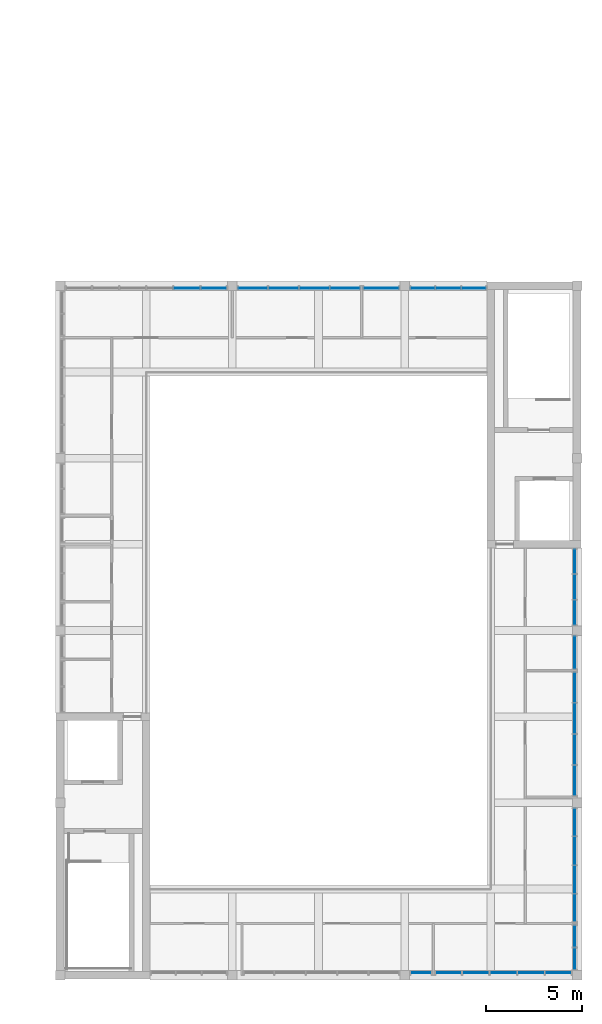
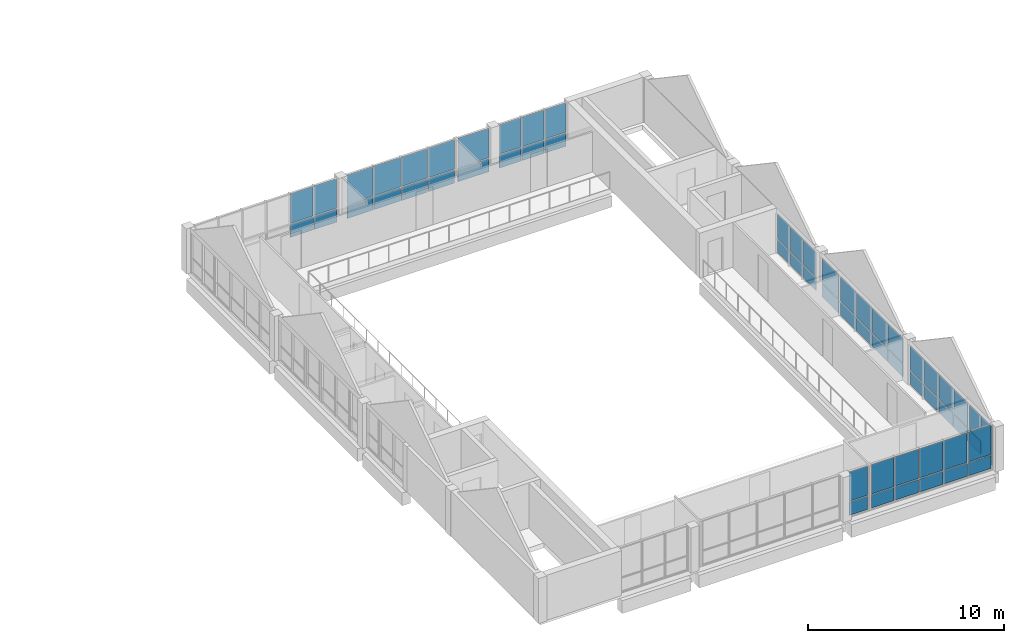
# One storey, part 22 of 50: 60 plates, 11 elements without a shape of their own.
"""IFC4 building model written with IfcOpenShell, lengths in metres."""

from ifc_helpers import new_model, si_unit, direction, frame, origin, origin_2d, place, context, subcontext, project, spatial, rectangle, extrude, material, layer, layer_set, type_object, element, aggregate, save


model = new_model("IFC4")

# Units and contexts
model_context = context("Model", 3, precision=1e-05, world=origin(), true_north=direction((0.0, 1.0)))
body_context = subcontext(model_context, "Body", "Model", "MODEL_VIEW")
ifc_project = project(units=[si_unit("LENGTHUNIT", "METRE"), si_unit("AREAUNIT", "SQUARE_METRE"), si_unit("VOLUMEUNIT", "CUBIC_METRE"), si_unit("PLANEANGLEUNIT", "RADIAN"), si_unit("MASSUNIT", "GRAM", prefix="KILO")], contexts=[model_context])

# Site, building, storey
site_placement = place(None, origin())
site = spatial("IfcSite", under=ifc_project, at=site_placement, CompositionType="ELEMENT")
building_placement = place(site_placement, origin())
building = spatial("IfcBuilding", under=site, at=building_placement, Name="Merrow Basin Faculty of Sciences", CompositionType="ELEMENT")
storey_placement = place(building_placement, frame((0.0, 0.0, 18.0)))
storey = spatial("IfcBuildingStorey", under=building, at=storey_placement, Name="L04", CompositionType="ELEMENT", Elevation=18.0)

# Curtain wall, plates
ifc_material_1 = material(Name="Aluminium alloy 6063", Category="aluminium")
curtain_wall_type = type_object("IfcCurtainWallType", Name="Atrium unitised curtain wall 240", PredefinedType="NOTDEFINED", material=ifc_material_1)
curtain_wall_1_placement = place(storey_placement, origin())
curtain_wall_1 = element("IfcCurtainWall", 1, at=curtain_wall_1_placement, inside=storey, type_object=curtain_wall_type, Name="N curtain wall L04 1", PredefinedType="NOTDEFINED")
ifc_material_2 = material(Name="Low-E double glazing", Category="glass")
ifc_layer_1 = layer(ifc_material_2, 0.031982421875)
ifc_layer_set_1 = layer_set([ifc_layer_1], Name="Acoustic double glazed panel 32")
plate_type_1 = type_object("IfcPlateType", Name="Acoustic double glazed panel 32", PredefinedType="CURTAIN_PANEL", material=ifc_layer_set_1)
plate_1_placement = place(storey_placement, frame((51.625, 35.8798828125, 0.93017578125), z_axis=(0.0, 0.0, 1.0), x_axis=(1.0, 0.0, 0.0)))
plate_1 = element("IfcPlate", 2, at=plate_1_placement, type_object=plate_type_1, Name="CW5 panel 5.2", PredefinedType="CURTAIN_PANEL", context=body_context, shape_type="SweptSolid", body=[
    extrude(rectangle(XDim=1.356689453125, YDim=0.031982421875, at=origin_2d()), origin(), (0.0, 0.0, 1.0), 1.822998046875),
])
plate_2_placement = place(storey_placement, frame((53.026611328125, 35.8798828125, 0.93017578125), z_axis=(0.0, 0.0, 1.0), x_axis=(1.0, 0.0, 0.0)))
plate_2 = element("IfcPlate", 3, at=plate_2_placement, type_object=plate_type_1, Name="CW5 panel 6.2", PredefinedType="CURTAIN_PANEL", context=body_context, shape_type="SweptSolid", body=[
    extrude(rectangle(XDim=1.32666015625, YDim=0.031982421875, at=origin_2d()), origin(), (0.0, 0.0, 1.0), 1.822998046875),
])

curtain_wall_2_placement = place(storey_placement, origin())
curtain_wall_2 = element("IfcCurtainWall", 4, at=curtain_wall_2_placement, inside=storey, type_object=curtain_wall_type, Name="N curtain wall L04 2", PredefinedType="NOTDEFINED")
plate_3_placement = place(storey_placement, frame((55.0712890625, 35.8798828125, 0.93017578125), z_axis=(0.0, 0.0, 1.0), x_axis=(1.0, 0.0, 0.0)))
plate_3 = element("IfcPlate", 5, at=plate_3_placement, type_object=plate_type_1, Name="CW5 panel 1.2", PredefinedType="CURTAIN_PANEL", context=body_context, shape_type="SweptSolid", body=[
    extrude(rectangle(XDim=1.5224609375, YDim=0.031982421875, at=origin_2d()), origin(), (0.0, 0.0, 1.0), 1.822998046875),
])
plate_4_placement = place(storey_placement, frame((56.668701171875, 35.8798828125, 0.93017578125), z_axis=(0.0, 0.0, 1.0), x_axis=(1.0, 0.0, 0.0)))
plate_4 = element("IfcPlate", 6, at=plate_4_placement, type_object=plate_type_1, Name="CW5 panel 2.2", PredefinedType="CURTAIN_PANEL", context=body_context, shape_type="SweptSolid", body=[
    extrude(rectangle(XDim=1.552490234375, YDim=0.031982421875, at=origin_2d()), origin(), (0.0, 0.0, 1.0), 1.822998046875),
])
plate_5_placement = place(storey_placement, frame((58.28125, 35.8798828125, 0.93017578125), z_axis=(0.0, 0.0, 1.0), x_axis=(1.0, 0.0, 0.0)))
plate_5 = element("IfcPlate", 7, at=plate_5_placement, type_object=plate_type_1, Name="CW5 panel 3.2", PredefinedType="CURTAIN_PANEL", context=body_context, shape_type="SweptSolid", body=[
    extrude(rectangle(XDim=1.552490234375, YDim=0.031982421875, at=origin_2d()), origin(), (0.0, 0.0, 1.0), 1.822998046875),
])
plate_6_placement = place(storey_placement, frame((59.878662109375, 35.8798828125, 0.93017578125), z_axis=(0.0, 0.0, 1.0), x_axis=(1.0, 0.0, 0.0)))
plate_6 = element("IfcPlate", 8, at=plate_6_placement, type_object=plate_type_1, Name="CW5 panel 4.2", PredefinedType="CURTAIN_PANEL", context=body_context, shape_type="SweptSolid", body=[
    extrude(rectangle(XDim=1.5224609375, YDim=0.031982421875, at=origin_2d()), origin(), (0.0, 0.0, 1.0), 1.822998046875),
])

# Curtain wall, plate
curtain_wall_3_placement = place(storey_placement, origin())
curtain_wall_3 = element("IfcCurtainWall", 9, at=curtain_wall_3_placement, inside=storey, type_object=curtain_wall_type, Name="N curtain wall L04 3", PredefinedType="NOTDEFINED")
plate_7_placement = place(storey_placement, frame((61.77490234375, 35.8798828125, 0.93017578125), z_axis=(0.0, 0.0, 1.0), x_axis=(1.0, 0.0, 0.0)))
plate_7 = element("IfcPlate", 10, at=plate_7_placement, type_object=plate_type_1, Name="CW5 panel 1.2", PredefinedType="CURTAIN_PANEL", context=body_context, shape_type="SweptSolid", body=[
    extrude(rectangle(XDim=1.830078125, YDim=0.031982421875, at=origin_2d()), origin(), (0.0, 0.0, 1.0), 1.822998046875),
])

# Curtain wall, plates
curtain_wall_4_placement = place(storey_placement, origin())
curtain_wall_4 = element("IfcCurtainWall", 11, at=curtain_wall_4_placement, inside=storey, type_object=curtain_wall_type, Name="N curtain wall L04 4", PredefinedType="NOTDEFINED")
plate_8_placement = place(storey_placement, frame((63.93994140625, 35.8798828125, 0.93017578125), z_axis=(0.0, 0.0, 1.0), x_axis=(1.0, 0.0, 0.0)))
plate_8 = element("IfcPlate", 12, at=plate_8_placement, type_object=plate_type_1, Name="CW5 panel 1.2", PredefinedType="CURTAIN_PANEL", context=body_context, shape_type="SweptSolid", body=[
    extrude(rectangle(XDim=1.260009765625, YDim=0.031982421875, at=origin_2d()), origin(), (0.0, 0.0, 1.0), 1.822998046875),
])
plate_9_placement = place(storey_placement, frame((65.27490234375, 35.8798828125, 0.93017578125), z_axis=(0.0, 0.0, 1.0), x_axis=(1.0, 0.0, 0.0)))
plate_9 = element("IfcPlate", 13, at=plate_9_placement, type_object=plate_type_1, Name="CW5 panel 2.2", PredefinedType="CURTAIN_PANEL", context=body_context, shape_type="SweptSolid", body=[
    extrude(rectangle(XDim=1.2900390625, YDim=0.031982421875, at=origin_2d()), origin(), (0.0, 0.0, 1.0), 1.822998046875),
])
plate_10_placement = place(storey_placement, frame((66.610107421875, 35.8798828125, 0.93017578125), z_axis=(0.0, 0.0, 1.0), x_axis=(1.0, 0.0, 0.0)))
plate_10 = element("IfcPlate", 14, at=plate_10_placement, type_object=plate_type_1, Name="CW5 panel 3.2", PredefinedType="CURTAIN_PANEL", context=body_context, shape_type="SweptSolid", body=[
    extrude(rectangle(XDim=1.260009765625, YDim=0.031982421875, at=origin_2d()), origin(), (0.0, 0.0, 1.0), 1.822998046875),
])

curtain_wall_5_placement = place(storey_placement, origin())
curtain_wall_5 = element("IfcCurtainWall", 15, at=curtain_wall_5_placement, inside=storey, type_object=curtain_wall_type, Name="E curtain wall L04 1", PredefinedType="NOTDEFINED")
plate_11_placement = place(storey_placement, frame((71.8798828125, 0.864990234375, 0.929931640625), z_axis=(0.0, 0.0, 1.0), x_axis=(0.0, 1.0, 0.0)))
plate_11 = element("IfcPlate", 16, at=plate_11_placement, type_object=plate_type_1, Name="CW5 panel 1.2", PredefinedType="CURTAIN_PANEL", context=body_context, shape_type="SweptSolid", body=[
    extrude(rectangle(XDim=1.110107421875, YDim=0.031982421875, at=origin_2d()), origin(), (0.0, 0.0, 1.0), 1.52294921875),
])
plate_12_placement = place(storey_placement, frame((71.8798828125, 2.034912109375, 0.929931640625), z_axis=(0.0, 0.0, 1.0), x_axis=(0.0, 1.0, 0.0)))
plate_12 = element("IfcPlate", 17, at=plate_12_placement, type_object=plate_type_1, Name="CW5 panel 2.2", PredefinedType="CURTAIN_PANEL", context=body_context, shape_type="SweptSolid", body=[
    extrude(rectangle(XDim=1.110107421875, YDim=0.031982421875, at=origin_2d()), origin(), (0.0, 0.0, 1.0), 1.52294921875),
])

curtain_wall_6_placement = place(storey_placement, origin())
curtain_wall_6 = element("IfcCurtainWall", 18, at=curtain_wall_6_placement, inside=storey, type_object=curtain_wall_type, Name="E curtain wall L04 2", PredefinedType="NOTDEFINED")
plate_13_placement = place(storey_placement, frame((71.8798828125, 3.514892578125, 0.929931640625), z_axis=(0.0, 0.0, 1.0), x_axis=(0.0, 1.0, 0.0)))
plate_13 = element("IfcPlate", 19, at=plate_13_placement, type_object=plate_type_1, Name="CW5 panel 1.2", PredefinedType="CURTAIN_PANEL", context=body_context, shape_type="SweptSolid", body=[
    extrude(rectangle(XDim=1.409912109375, YDim=0.031982421875, at=origin_2d()), origin(), (0.0, 0.0, 1.0), 1.52294921875),
])
plate_14_placement = place(storey_placement, frame((71.8798828125, 5.0, 0.929931640625), z_axis=(0.0, 0.0, 1.0), x_axis=(0.0, 1.0, 0.0)))
plate_14 = element("IfcPlate", 20, at=plate_14_placement, type_object=plate_type_1, Name="CW5 panel 2.2", PredefinedType="CURTAIN_PANEL", context=body_context, shape_type="SweptSolid", body=[
    extrude(rectangle(XDim=1.43994140625, YDim=0.031982421875, at=origin_2d()), origin(), (0.0, 0.0, 1.0), 1.52294921875),
])
plate_15_placement = place(storey_placement, frame((71.8798828125, 6.5, 0.929931640625), z_axis=(0.0, 0.0, 1.0), x_axis=(0.0, 1.0, 0.0)))
plate_15 = element("IfcPlate", 21, at=plate_15_placement, type_object=plate_type_1, Name="CW5 panel 3.2", PredefinedType="CURTAIN_PANEL", context=body_context, shape_type="SweptSolid", body=[
    extrude(rectangle(XDim=1.43994140625, YDim=0.031982421875, at=origin_2d()), origin(), (0.0, 0.0, 1.0), 1.52294921875),
])
plate_16_placement = place(storey_placement, frame((71.8798828125, 7.985107421875, 0.929931640625), z_axis=(0.0, 0.0, 1.0), x_axis=(0.0, 1.0, 0.0)))
plate_16 = element("IfcPlate", 22, at=plate_16_placement, type_object=plate_type_1, Name="CW5 panel 4.2", PredefinedType="CURTAIN_PANEL", context=body_context, shape_type="SweptSolid", body=[
    extrude(rectangle(XDim=1.409912109375, YDim=0.031982421875, at=origin_2d()), origin(), (0.0, 0.0, 1.0), 1.52294921875),
])

curtain_wall_7_placement = place(storey_placement, origin())
curtain_wall_7 = element("IfcCurtainWall", 23, at=curtain_wall_7_placement, inside=storey, type_object=curtain_wall_type, Name="E curtain wall L04 3", PredefinedType="NOTDEFINED")
plate_17_placement = place(storey_placement, frame((71.8798828125, 10.177490234375, 0.929931640625), z_axis=(0.0, 0.0, 1.0), x_axis=(0.0, 1.0, 0.0)))
plate_17 = element("IfcPlate", 24, at=plate_17_placement, type_object=plate_type_1, Name="CW5 panel 1.2", PredefinedType="CURTAIN_PANEL", context=body_context, shape_type="SweptSolid", body=[
    extrude(rectangle(XDim=1.534912109375, YDim=0.031982421875, at=origin_2d()), origin(), (0.0, 0.0, 1.0), 1.52294921875),
])
plate_18_placement = place(storey_placement, frame((71.8798828125, 11.78759765625, 0.929931640625), z_axis=(0.0, 0.0, 1.0), x_axis=(0.0, 1.0, 0.0)))
plate_18 = element("IfcPlate", 25, at=plate_18_placement, type_object=plate_type_1, Name="CW5 panel 2.2", PredefinedType="CURTAIN_PANEL", context=body_context, shape_type="SweptSolid", body=[
    extrude(rectangle(XDim=1.56494140625, YDim=0.031982421875, at=origin_2d()), origin(), (0.0, 0.0, 1.0), 1.52294921875),
])
plate_19_placement = place(storey_placement, frame((71.8798828125, 13.41259765625, 0.929931640625), z_axis=(0.0, 0.0, 1.0), x_axis=(0.0, 1.0, 0.0)))
plate_19 = element("IfcPlate", 26, at=plate_19_placement, type_object=plate_type_1, Name="CW5 panel 3.2", PredefinedType="CURTAIN_PANEL", context=body_context, shape_type="SweptSolid", body=[
    extrude(rectangle(XDim=1.56494140625, YDim=0.031982421875, at=origin_2d()), origin(), (0.0, 0.0, 1.0), 1.52294921875),
])
plate_20_placement = place(storey_placement, frame((71.8798828125, 15.0224609375, 0.929931640625), z_axis=(0.0, 0.0, 1.0), x_axis=(0.0, 1.0, 0.0)))
plate_20 = element("IfcPlate", 27, at=plate_20_placement, type_object=plate_type_1, Name="CW5 panel 4.2", PredefinedType="CURTAIN_PANEL", context=body_context, shape_type="SweptSolid", body=[
    extrude(rectangle(XDim=1.534912109375, YDim=0.031982421875, at=origin_2d()), origin(), (0.0, 0.0, 1.0), 1.52294921875),
])

# Curtain wall, plate
curtain_wall_8_placement = place(storey_placement, origin())
curtain_wall_8 = element("IfcCurtainWall", 28, at=curtain_wall_8_placement, inside=storey, type_object=curtain_wall_type, Name="E curtain wall L04 4", PredefinedType="NOTDEFINED")
plate_21_placement = place(storey_placement, frame((71.8798828125, 16.85009765625, 0.929931640625), z_axis=(0.0, 0.0, 1.0), x_axis=(0.0, 1.0, 0.0)))
plate_21 = element("IfcPlate", 29, at=plate_21_placement, type_object=plate_type_1, Name="CW5 panel 1.2", PredefinedType="CURTAIN_PANEL", context=body_context, shape_type="SweptSolid", body=[
    extrude(rectangle(XDim=1.679931640625, YDim=0.031982421875, at=origin_2d()), origin(), (0.0, 0.0, 1.0), 1.52294921875),
])

# Curtain wall, plates
curtain_wall_9_placement = place(storey_placement, origin())
curtain_wall_9 = element("IfcCurtainWall", 30, at=curtain_wall_9_placement, inside=storey, type_object=curtain_wall_type, Name="E curtain wall L04 5", PredefinedType="NOTDEFINED")
plate_22_placement = place(storey_placement, frame((71.8798828125, 18.93994140625, 0.929931640625), z_axis=(0.0, 0.0, 1.0), x_axis=(0.0, 1.0, 0.0)))
plate_22 = element("IfcPlate", 31, at=plate_22_placement, type_object=plate_type_1, Name="CW5 panel 1.2", PredefinedType="CURTAIN_PANEL", context=body_context, shape_type="SweptSolid", body=[
    extrude(rectangle(XDim=1.260009765625, YDim=0.031982421875, at=origin_2d()), origin(), (0.0, 0.0, 1.0), 1.52294921875),
])
plate_23_placement = place(storey_placement, frame((71.8798828125, 20.27490234375, 0.929931640625), z_axis=(0.0, 0.0, 1.0), x_axis=(0.0, 1.0, 0.0)))
plate_23 = element("IfcPlate", 32, at=plate_23_placement, type_object=plate_type_1, Name="CW5 panel 2.2", PredefinedType="CURTAIN_PANEL", context=body_context, shape_type="SweptSolid", body=[
    extrude(rectangle(XDim=1.2900390625, YDim=0.031982421875, at=origin_2d()), origin(), (0.0, 0.0, 1.0), 1.52294921875),
])
plate_24_placement = place(storey_placement, frame((71.8798828125, 21.610107421875, 0.929931640625), z_axis=(0.0, 0.0, 1.0), x_axis=(0.0, 1.0, 0.0)))
plate_24 = element("IfcPlate", 33, at=plate_24_placement, type_object=plate_type_1, Name="CW5 panel 3.2", PredefinedType="CURTAIN_PANEL", context=body_context, shape_type="SweptSolid", body=[
    extrude(rectangle(XDim=1.260009765625, YDim=0.031982421875, at=origin_2d()), origin(), (0.0, 0.0, 1.0), 1.52294921875),
])

# Curtain wall, plate
curtain_wall_10_placement = place(storey_placement, origin())
curtain_wall_10 = element("IfcCurtainWall", 34, at=curtain_wall_10_placement, inside=storey, type_object=curtain_wall_type, Name="S curtain wall L04 3", PredefinedType="NOTDEFINED")
plate_25_placement = place(storey_placement, frame((63.85009765625, 0.1201171875, 0.93017578125), z_axis=(0.0, 0.0, 1.0), x_axis=(1.0, 0.0, 0.0)))
plate_25 = element("IfcPlate", 35, at=plate_25_placement, type_object=plate_type_1, Name="CW5 panel 1.2", PredefinedType="CURTAIN_PANEL", context=body_context, shape_type="SweptSolid", body=[
    extrude(rectangle(XDim=1.080078125, YDim=0.031982421875, at=origin_2d()), origin(), (0.0, 0.0, 1.0), 1.822998046875),
])

# Curtain wall, plates
curtain_wall_11_placement = place(storey_placement, origin())
curtain_wall_11 = element("IfcCurtainWall", 36, at=curtain_wall_11_placement, inside=storey, type_object=curtain_wall_type, Name="S curtain wall L04 4", PredefinedType="NOTDEFINED")
plate_26_placement = place(storey_placement, frame((65.284912109375, 0.1201171875, 0.93017578125), z_axis=(0.0, 0.0, 1.0), x_axis=(1.0, 0.0, 0.0)))
plate_26 = element("IfcPlate", 37, at=plate_26_placement, type_object=plate_type_1, Name="CW5 panel 1.2", PredefinedType="CURTAIN_PANEL", context=body_context, shape_type="SweptSolid", body=[
    extrude(rectangle(XDim=1.35009765625, YDim=0.031982421875, at=origin_2d()), origin(), (0.0, 0.0, 1.0), 1.822998046875),
])
plate_27_placement = place(storey_placement, frame((66.7099609375, 0.1201171875, 0.93017578125), z_axis=(0.0, 0.0, 1.0), x_axis=(1.0, 0.0, 0.0)))
plate_27 = element("IfcPlate", 38, at=plate_27_placement, type_object=plate_type_1, Name="CW5 panel 2.2", PredefinedType="CURTAIN_PANEL", context=body_context, shape_type="SweptSolid", body=[
    extrude(rectangle(XDim=1.3798828125, YDim=0.031982421875, at=origin_2d()), origin(), (0.0, 0.0, 1.0), 1.822998046875),
])
plate_28_placement = place(storey_placement, frame((68.14990234375, 0.1201171875, 0.93017578125), z_axis=(0.0, 0.0, 1.0), x_axis=(1.0, 0.0, 0.0)))
plate_28 = element("IfcPlate", 39, at=plate_28_placement, type_object=plate_type_1, Name="CW5 panel 3.2", PredefinedType="CURTAIN_PANEL", context=body_context, shape_type="SweptSolid", body=[
    extrude(rectangle(XDim=1.3798828125, YDim=0.031982421875, at=origin_2d()), origin(), (0.0, 0.0, 1.0), 1.822998046875),
])
plate_29_placement = place(storey_placement, frame((69.590087890625, 0.1201171875, 0.93017578125), z_axis=(0.0, 0.0, 1.0), x_axis=(1.0, 0.0, 0.0)))
plate_29 = element("IfcPlate", 40, at=plate_29_placement, type_object=plate_type_1, Name="CW5 panel 4.2", PredefinedType="CURTAIN_PANEL", context=body_context, shape_type="SweptSolid", body=[
    extrude(rectangle(XDim=1.3798828125, YDim=0.031982421875, at=origin_2d()), origin(), (0.0, 0.0, 1.0), 1.822998046875),
])
plate_30_placement = place(storey_placement, frame((71.014892578125, 0.1201171875, 0.93017578125), z_axis=(0.0, 0.0, 1.0), x_axis=(1.0, 0.0, 0.0)))
plate_30 = element("IfcPlate", 41, at=plate_30_placement, type_object=plate_type_1, Name="CW5 panel 5.2", PredefinedType="CURTAIN_PANEL", context=body_context, shape_type="SweptSolid", body=[
    extrude(rectangle(XDim=1.35009765625, YDim=0.031982421875, at=origin_2d()), origin(), (0.0, 0.0, 1.0), 1.822998046875),
])

# Plate
ifc_material_3 = material(Name="Insulated aluminium spandrel panel", Category="aluminium")
ifc_layer_2 = layer(ifc_material_3, 0.052001953125)
ifc_layer_set_2 = layer_set([ifc_layer_2], Name="Insulated spandrel panel 52")
plate_type_2 = type_object("IfcPlateType", Name="Insulated spandrel panel 52", PredefinedType="CURTAIN_PANEL", material=ifc_layer_set_2)
plate_31_placement = place(storey_placement, frame((51.625, 35.8798828125, 0.06005859375), z_axis=(0.0, 0.0, 1.0), x_axis=(1.0, 0.0, 0.0)))
plate_31 = element("IfcPlate", 42, at=plate_31_placement, type_object=plate_type_2, Name="CW5 panel 5.1", PredefinedType="CURTAIN_PANEL", context=body_context, shape_type="SweptSolid", body=[
    extrude(rectangle(XDim=1.356689453125, YDim=0.052001953125, at=origin_2d()), origin(), (0.0, 0.0, 1.0), 0.81005859375),
])

plate_32_placement = place(storey_placement, frame((53.026611328125, 35.8798828125, 0.06005859375), z_axis=(0.0, 0.0, 1.0), x_axis=(1.0, 0.0, 0.0)))
plate_32 = element("IfcPlate", 43, at=plate_32_placement, type_object=plate_type_2, Name="CW5 panel 6.1", PredefinedType="CURTAIN_PANEL", context=body_context, shape_type="SweptSolid", body=[
    extrude(rectangle(XDim=1.32666015625, YDim=0.052001953125, at=origin_2d()), origin(), (0.0, 0.0, 1.0), 0.81005859375),
])

aggregate(curtain_wall_1, [plate_31, plate_1, plate_32, plate_2])

plate_33_placement = place(storey_placement, frame((55.0712890625, 35.8798828125, 0.06005859375), z_axis=(0.0, 0.0, 1.0), x_axis=(1.0, 0.0, 0.0)))
plate_33 = element("IfcPlate", 44, at=plate_33_placement, type_object=plate_type_2, Name="CW5 panel 1.1", PredefinedType="CURTAIN_PANEL", context=body_context, shape_type="SweptSolid", body=[
    extrude(rectangle(XDim=1.5224609375, YDim=0.052001953125, at=origin_2d()), origin(), (0.0, 0.0, 1.0), 0.81005859375),
])

plate_34_placement = place(storey_placement, frame((56.668701171875, 35.8798828125, 0.06005859375), z_axis=(0.0, 0.0, 1.0), x_axis=(1.0, 0.0, 0.0)))
plate_34 = element("IfcPlate", 45, at=plate_34_placement, type_object=plate_type_2, Name="CW5 panel 2.1", PredefinedType="CURTAIN_PANEL", context=body_context, shape_type="SweptSolid", body=[
    extrude(rectangle(XDim=1.552490234375, YDim=0.052001953125, at=origin_2d()), origin(), (0.0, 0.0, 1.0), 0.81005859375),
])

plate_35_placement = place(storey_placement, frame((58.28125, 35.8798828125, 0.06005859375), z_axis=(0.0, 0.0, 1.0), x_axis=(1.0, 0.0, 0.0)))
plate_35 = element("IfcPlate", 46, at=plate_35_placement, type_object=plate_type_2, Name="CW5 panel 3.1", PredefinedType="CURTAIN_PANEL", context=body_context, shape_type="SweptSolid", body=[
    extrude(rectangle(XDim=1.552490234375, YDim=0.052001953125, at=origin_2d()), origin(), (0.0, 0.0, 1.0), 0.81005859375),
])

plate_36_placement = place(storey_placement, frame((59.878662109375, 35.8798828125, 0.06005859375), z_axis=(0.0, 0.0, 1.0), x_axis=(1.0, 0.0, 0.0)))
plate_36 = element("IfcPlate", 47, at=plate_36_placement, type_object=plate_type_2, Name="CW5 panel 4.1", PredefinedType="CURTAIN_PANEL", context=body_context, shape_type="SweptSolid", body=[
    extrude(rectangle(XDim=1.5224609375, YDim=0.052001953125, at=origin_2d()), origin(), (0.0, 0.0, 1.0), 0.81005859375),
])

aggregate(curtain_wall_2, [plate_33, plate_3, plate_34, plate_4, plate_35, plate_5, plate_36, plate_6])

plate_37_placement = place(storey_placement, frame((61.77490234375, 35.8798828125, 0.06005859375), z_axis=(0.0, 0.0, 1.0), x_axis=(1.0, 0.0, 0.0)))
plate_37 = element("IfcPlate", 48, at=plate_37_placement, type_object=plate_type_2, Name="CW5 panel 1.1", PredefinedType="CURTAIN_PANEL", context=body_context, shape_type="SweptSolid", body=[
    extrude(rectangle(XDim=1.830078125, YDim=0.052001953125, at=origin_2d()), origin(), (0.0, 0.0, 1.0), 0.81005859375),
])

aggregate(curtain_wall_3, [plate_37, plate_7])

plate_38_placement = place(storey_placement, frame((63.93994140625, 35.8798828125, 0.06005859375), z_axis=(0.0, 0.0, 1.0), x_axis=(1.0, 0.0, 0.0)))
plate_38 = element("IfcPlate", 49, at=plate_38_placement, type_object=plate_type_2, Name="CW5 panel 1.1", PredefinedType="CURTAIN_PANEL", context=body_context, shape_type="SweptSolid", body=[
    extrude(rectangle(XDim=1.260009765625, YDim=0.052001953125, at=origin_2d()), origin(), (0.0, 0.0, 1.0), 0.81005859375),
])

plate_39_placement = place(storey_placement, frame((65.27490234375, 35.8798828125, 0.06005859375), z_axis=(0.0, 0.0, 1.0), x_axis=(1.0, 0.0, 0.0)))
plate_39 = element("IfcPlate", 50, at=plate_39_placement, type_object=plate_type_2, Name="CW5 panel 2.1", PredefinedType="CURTAIN_PANEL", context=body_context, shape_type="SweptSolid", body=[
    extrude(rectangle(XDim=1.2900390625, YDim=0.052001953125, at=origin_2d()), origin(), (0.0, 0.0, 1.0), 0.81005859375),
])

plate_40_placement = place(storey_placement, frame((66.610107421875, 35.8798828125, 0.06005859375), z_axis=(0.0, 0.0, 1.0), x_axis=(1.0, 0.0, 0.0)))
plate_40 = element("IfcPlate", 51, at=plate_40_placement, type_object=plate_type_2, Name="CW5 panel 3.1", PredefinedType="CURTAIN_PANEL", context=body_context, shape_type="SweptSolid", body=[
    extrude(rectangle(XDim=1.260009765625, YDim=0.052001953125, at=origin_2d()), origin(), (0.0, 0.0, 1.0), 0.81005859375),
])

aggregate(curtain_wall_4, [plate_38, plate_8, plate_39, plate_9, plate_40, plate_10])

plate_41_placement = place(storey_placement, frame((71.8798828125, 0.864990234375, 0.06005859375), z_axis=(0.0, 0.0, 1.0), x_axis=(0.0, 1.0, 0.0)))
plate_41 = element("IfcPlate", 52, at=plate_41_placement, type_object=plate_type_2, Name="CW5 panel 1.1", PredefinedType="CURTAIN_PANEL", context=body_context, shape_type="SweptSolid", body=[
    extrude(rectangle(XDim=1.110107421875, YDim=0.052001953125, at=origin_2d()), origin(), (0.0, 0.0, 1.0), 0.81005859375),
])

plate_42_placement = place(storey_placement, frame((71.8798828125, 2.034912109375, 0.06005859375), z_axis=(0.0, 0.0, 1.0), x_axis=(0.0, 1.0, 0.0)))
plate_42 = element("IfcPlate", 53, at=plate_42_placement, type_object=plate_type_2, Name="CW5 panel 2.1", PredefinedType="CURTAIN_PANEL", context=body_context, shape_type="SweptSolid", body=[
    extrude(rectangle(XDim=1.110107421875, YDim=0.052001953125, at=origin_2d()), origin(), (0.0, 0.0, 1.0), 0.81005859375),
])

aggregate(curtain_wall_5, [plate_41, plate_11, plate_42, plate_12])

plate_43_placement = place(storey_placement, frame((71.8798828125, 3.514892578125, 0.06005859375), z_axis=(0.0, 0.0, 1.0), x_axis=(0.0, 1.0, 0.0)))
plate_43 = element("IfcPlate", 54, at=plate_43_placement, type_object=plate_type_2, Name="CW5 panel 1.1", PredefinedType="CURTAIN_PANEL", context=body_context, shape_type="SweptSolid", body=[
    extrude(rectangle(XDim=1.409912109375, YDim=0.052001953125, at=origin_2d()), origin(), (0.0, 0.0, 1.0), 0.81005859375),
])

plate_44_placement = place(storey_placement, frame((71.8798828125, 5.0, 0.06005859375), z_axis=(0.0, 0.0, 1.0), x_axis=(0.0, 1.0, 0.0)))
plate_44 = element("IfcPlate", 55, at=plate_44_placement, type_object=plate_type_2, Name="CW5 panel 2.1", PredefinedType="CURTAIN_PANEL", context=body_context, shape_type="SweptSolid", body=[
    extrude(rectangle(XDim=1.43994140625, YDim=0.052001953125, at=origin_2d()), origin(), (0.0, 0.0, 1.0), 0.81005859375),
])

plate_45_placement = place(storey_placement, frame((71.8798828125, 6.5, 0.06005859375), z_axis=(0.0, 0.0, 1.0), x_axis=(0.0, 1.0, 0.0)))
plate_45 = element("IfcPlate", 56, at=plate_45_placement, type_object=plate_type_2, Name="CW5 panel 3.1", PredefinedType="CURTAIN_PANEL", context=body_context, shape_type="SweptSolid", body=[
    extrude(rectangle(XDim=1.43994140625, YDim=0.052001953125, at=origin_2d()), origin(), (0.0, 0.0, 1.0), 0.81005859375),
])

plate_46_placement = place(storey_placement, frame((71.8798828125, 7.985107421875, 0.06005859375), z_axis=(0.0, 0.0, 1.0), x_axis=(0.0, 1.0, 0.0)))
plate_46 = element("IfcPlate", 57, at=plate_46_placement, type_object=plate_type_2, Name="CW5 panel 4.1", PredefinedType="CURTAIN_PANEL", context=body_context, shape_type="SweptSolid", body=[
    extrude(rectangle(XDim=1.409912109375, YDim=0.052001953125, at=origin_2d()), origin(), (0.0, 0.0, 1.0), 0.81005859375),
])

aggregate(curtain_wall_6, [plate_43, plate_13, plate_44, plate_14, plate_45, plate_15, plate_46, plate_16])

plate_47_placement = place(storey_placement, frame((71.8798828125, 10.177490234375, 0.06005859375), z_axis=(0.0, 0.0, 1.0), x_axis=(0.0, 1.0, 0.0)))
plate_47 = element("IfcPlate", 58, at=plate_47_placement, type_object=plate_type_2, Name="CW5 panel 1.1", PredefinedType="CURTAIN_PANEL", context=body_context, shape_type="SweptSolid", body=[
    extrude(rectangle(XDim=1.534912109375, YDim=0.052001953125, at=origin_2d()), origin(), (0.0, 0.0, 1.0), 0.81005859375),
])

plate_48_placement = place(storey_placement, frame((71.8798828125, 11.78759765625, 0.06005859375), z_axis=(0.0, 0.0, 1.0), x_axis=(0.0, 1.0, 0.0)))
plate_48 = element("IfcPlate", 59, at=plate_48_placement, type_object=plate_type_2, Name="CW5 panel 2.1", PredefinedType="CURTAIN_PANEL", context=body_context, shape_type="SweptSolid", body=[
    extrude(rectangle(XDim=1.56494140625, YDim=0.052001953125, at=origin_2d()), origin(), (0.0, 0.0, 1.0), 0.81005859375),
])

plate_49_placement = place(storey_placement, frame((71.8798828125, 13.41259765625, 0.06005859375), z_axis=(0.0, 0.0, 1.0), x_axis=(0.0, 1.0, 0.0)))
plate_49 = element("IfcPlate", 60, at=plate_49_placement, type_object=plate_type_2, Name="CW5 panel 3.1", PredefinedType="CURTAIN_PANEL", context=body_context, shape_type="SweptSolid", body=[
    extrude(rectangle(XDim=1.56494140625, YDim=0.052001953125, at=origin_2d()), origin(), (0.0, 0.0, 1.0), 0.81005859375),
])

plate_50_placement = place(storey_placement, frame((71.8798828125, 15.0224609375, 0.06005859375), z_axis=(0.0, 0.0, 1.0), x_axis=(0.0, 1.0, 0.0)))
plate_50 = element("IfcPlate", 61, at=plate_50_placement, type_object=plate_type_2, Name="CW5 panel 4.1", PredefinedType="CURTAIN_PANEL", context=body_context, shape_type="SweptSolid", body=[
    extrude(rectangle(XDim=1.534912109375, YDim=0.052001953125, at=origin_2d()), origin(), (0.0, 0.0, 1.0), 0.81005859375),
])

aggregate(curtain_wall_7, [plate_47, plate_17, plate_48, plate_18, plate_49, plate_19, plate_50, plate_20])

plate_51_placement = place(storey_placement, frame((71.8798828125, 16.85009765625, 0.06005859375), z_axis=(0.0, 0.0, 1.0), x_axis=(0.0, 1.0, 0.0)))
plate_51 = element("IfcPlate", 62, at=plate_51_placement, type_object=plate_type_2, Name="CW5 panel 1.1", PredefinedType="CURTAIN_PANEL", context=body_context, shape_type="SweptSolid", body=[
    extrude(rectangle(XDim=1.679931640625, YDim=0.052001953125, at=origin_2d()), origin(), (0.0, 0.0, 1.0), 0.81005859375),
])

aggregate(curtain_wall_8, [plate_51, plate_21])

plate_52_placement = place(storey_placement, frame((71.8798828125, 18.93994140625, 0.06005859375), z_axis=(0.0, 0.0, 1.0), x_axis=(0.0, 1.0, 0.0)))
plate_52 = element("IfcPlate", 63, at=plate_52_placement, type_object=plate_type_2, Name="CW5 panel 1.1", PredefinedType="CURTAIN_PANEL", context=body_context, shape_type="SweptSolid", body=[
    extrude(rectangle(XDim=1.260009765625, YDim=0.052001953125, at=origin_2d()), origin(), (0.0, 0.0, 1.0), 0.81005859375),
])

plate_53_placement = place(storey_placement, frame((71.8798828125, 20.27490234375, 0.06005859375), z_axis=(0.0, 0.0, 1.0), x_axis=(0.0, 1.0, 0.0)))
plate_53 = element("IfcPlate", 64, at=plate_53_placement, type_object=plate_type_2, Name="CW5 panel 2.1", PredefinedType="CURTAIN_PANEL", context=body_context, shape_type="SweptSolid", body=[
    extrude(rectangle(XDim=1.2900390625, YDim=0.052001953125, at=origin_2d()), origin(), (0.0, 0.0, 1.0), 0.81005859375),
])

plate_54_placement = place(storey_placement, frame((71.8798828125, 21.610107421875, 0.06005859375), z_axis=(0.0, 0.0, 1.0), x_axis=(0.0, 1.0, 0.0)))
plate_54 = element("IfcPlate", 65, at=plate_54_placement, type_object=plate_type_2, Name="CW5 panel 3.1", PredefinedType="CURTAIN_PANEL", context=body_context, shape_type="SweptSolid", body=[
    extrude(rectangle(XDim=1.260009765625, YDim=0.052001953125, at=origin_2d()), origin(), (0.0, 0.0, 1.0), 0.81005859375),
])

aggregate(curtain_wall_9, [plate_52, plate_22, plate_53, plate_23, plate_54, plate_24])

plate_55_placement = place(storey_placement, frame((63.85009765625, 0.1201171875, 0.06005859375), z_axis=(0.0, 0.0, 1.0), x_axis=(1.0, 0.0, 0.0)))
plate_55 = element("IfcPlate", 66, at=plate_55_placement, type_object=plate_type_2, Name="CW5 panel 1.1", PredefinedType="CURTAIN_PANEL", context=body_context, shape_type="SweptSolid", body=[
    extrude(rectangle(XDim=1.080078125, YDim=0.052001953125, at=origin_2d()), origin(), (0.0, 0.0, 1.0), 0.81005859375),
])

aggregate(curtain_wall_10, [plate_55, plate_25])

plate_56_placement = place(storey_placement, frame((65.284912109375, 0.1201171875, 0.06005859375), z_axis=(0.0, 0.0, 1.0), x_axis=(1.0, 0.0, 0.0)))
plate_56 = element("IfcPlate", 67, at=plate_56_placement, type_object=plate_type_2, Name="CW5 panel 1.1", PredefinedType="CURTAIN_PANEL", context=body_context, shape_type="SweptSolid", body=[
    extrude(rectangle(XDim=1.35009765625, YDim=0.052001953125, at=origin_2d()), origin(), (0.0, 0.0, 1.0), 0.81005859375),
])

plate_57_placement = place(storey_placement, frame((66.7099609375, 0.1201171875, 0.06005859375), z_axis=(0.0, 0.0, 1.0), x_axis=(1.0, 0.0, 0.0)))
plate_57 = element("IfcPlate", 68, at=plate_57_placement, type_object=plate_type_2, Name="CW5 panel 2.1", PredefinedType="CURTAIN_PANEL", context=body_context, shape_type="SweptSolid", body=[
    extrude(rectangle(XDim=1.3798828125, YDim=0.052001953125, at=origin_2d()), origin(), (0.0, 0.0, 1.0), 0.81005859375),
])

plate_58_placement = place(storey_placement, frame((68.14990234375, 0.1201171875, 0.06005859375), z_axis=(0.0, 0.0, 1.0), x_axis=(1.0, 0.0, 0.0)))
plate_58 = element("IfcPlate", 69, at=plate_58_placement, type_object=plate_type_2, Name="CW5 panel 3.1", PredefinedType="CURTAIN_PANEL", context=body_context, shape_type="SweptSolid", body=[
    extrude(rectangle(XDim=1.3798828125, YDim=0.052001953125, at=origin_2d()), origin(), (0.0, 0.0, 1.0), 0.81005859375),
])

plate_59_placement = place(storey_placement, frame((69.590087890625, 0.1201171875, 0.06005859375), z_axis=(0.0, 0.0, 1.0), x_axis=(1.0, 0.0, 0.0)))
plate_59 = element("IfcPlate", 70, at=plate_59_placement, type_object=plate_type_2, Name="CW5 panel 4.1", PredefinedType="CURTAIN_PANEL", context=body_context, shape_type="SweptSolid", body=[
    extrude(rectangle(XDim=1.3798828125, YDim=0.052001953125, at=origin_2d()), origin(), (0.0, 0.0, 1.0), 0.81005859375),
])

plate_60_placement = place(storey_placement, frame((71.014892578125, 0.1201171875, 0.06005859375), z_axis=(0.0, 0.0, 1.0), x_axis=(1.0, 0.0, 0.0)))
plate_60 = element("IfcPlate", 71, at=plate_60_placement, type_object=plate_type_2, Name="CW5 panel 5.1", PredefinedType="CURTAIN_PANEL", context=body_context, shape_type="SweptSolid", body=[
    extrude(rectangle(XDim=1.35009765625, YDim=0.052001953125, at=origin_2d()), origin(), (0.0, 0.0, 1.0), 0.81005859375),
])

aggregate(curtain_wall_11, [plate_56, plate_26, plate_57, plate_27, plate_58, plate_28, plate_59, plate_29, plate_60, plate_30])

save(model, "model.ifc")
